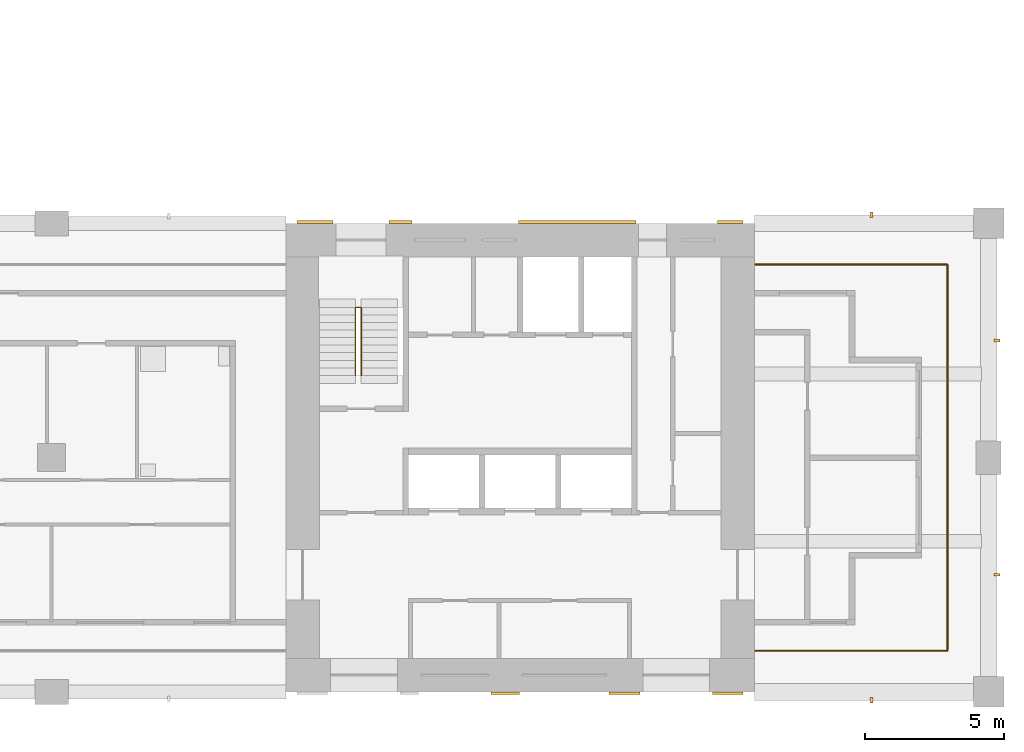
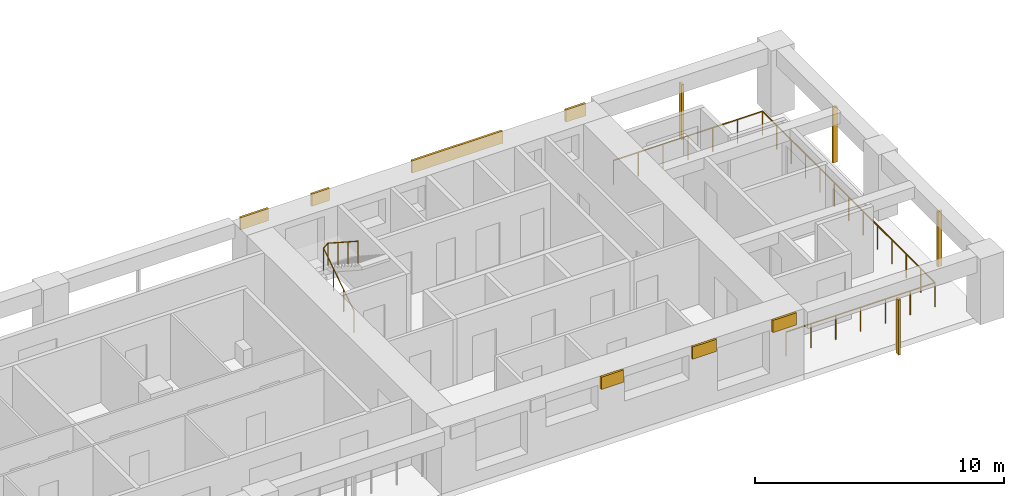
# One storey, part 9 of 11: 11 shading devices, 2 railings.
"""IFC4 building model written with IfcOpenShell, lengths in metres."""

from ifc_helpers import new_model, si_unit, direction, frame, origin, origin_2d, place, context, subcontext, project, spatial, rectangle, circle, extrude, material, layer, layer_set, material_profile, profile_set, type_object, element, save


model = new_model("IFC4")

# Units and contexts
model_context = context("Model", 3, precision=1e-05, world=origin(), true_north=direction((0.0, 1.0)))
body_context = subcontext(model_context, "Body", "Model", "MODEL_VIEW")
ifc_project = project(units=[si_unit("LENGTHUNIT", "METRE"), si_unit("AREAUNIT", "SQUARE_METRE"), si_unit("VOLUMEUNIT", "CUBIC_METRE"), si_unit("PLANEANGLEUNIT", "RADIAN"), si_unit("MASSUNIT", "GRAM", prefix="KILO")], contexts=[model_context])

# Site, building, storey
site_placement = place(None, origin())
site = spatial("IfcSite", under=ifc_project, at=site_placement, CompositionType="ELEMENT")
building_placement = place(site_placement, origin())
building = spatial("IfcBuilding", under=site, at=building_placement, Name="Vermilion Gate Residences", CompositionType="ELEMENT")
storey_placement = place(building_placement, frame((0.0, 0.0, 200.199951171875)))
storey = spatial("IfcBuildingStorey", under=building, at=storey_placement, Name="L52", CompositionType="ELEMENT", Elevation=200.199951171875)

# Railings
ifc_material_1 = material(Name="Stainless steel and toughened glass", Category="steel")
railing_type_1 = type_object("IfcRailingType", Name="LOGGIA GUARD STEEL AND GLASS 1200", PredefinedType="GUARDRAIL", material=ifc_material_1)
railing_1_placement = place(storey_placement, frame((58.822021484375, 9.875, 0.0)))
element("IfcRailing", 1, at=railing_1_placement, inside=storey, type_object=railing_type_1, Name="Loggia guard", PredefinedType="GUARDRAIL", context=body_context, shape_type="SweptSolid", body=[
    extrude(circle(Radius=0.030029296875, at=origin_2d()), frame((0.0, 0.0, 1.169921875), z_axis=(1.0, 0.0, 0.0), x_axis=(0.0, 1.0, 0.0)), (0.0, 0.0, 1.0), 6.903076171875),
    extrude(circle(Radius=0.030029296875, at=origin_2d()), frame((6.903076171875, 0.0, 1.169921875), z_axis=(0.0, 1.0, 0.0), x_axis=(-1.0, 0.0, 0.0)), (0.0, 0.0, 1.0), 13.85009765625),
    extrude(circle(Radius=0.030029296875, at=origin_2d()), frame((6.903076171875, 13.85009765625, 1.169921875), z_axis=(-1.0, 0.0, 0.0), x_axis=(0.0, -1.0, 0.0)), (0.0, 0.0, 1.0), 6.903076171875),
    extrude(circle(Radius=0.02490234375, at=origin_2d()), origin(), (0.0, 0.0, 1.0), 1.139892578125),
    extrude(circle(Radius=0.02490234375, at=origin_2d()), frame((1.150390625, 0.0, 0.0)), (0.0, 0.0, 1.0), 1.139892578125),
    extrude(circle(Radius=0.02490234375, at=origin_2d()), frame((2.301025390625, 0.0, 0.0)), (0.0, 0.0, 1.0), 1.139892578125),
    extrude(circle(Radius=0.02490234375, at=origin_2d()), frame((3.45166015625, 0.0, 0.0)), (0.0, 0.0, 1.0), 1.139892578125),
    extrude(circle(Radius=0.02490234375, at=origin_2d()), frame((4.60205078125, 0.0, 0.0)), (0.0, 0.0, 1.0), 1.139892578125),
    extrude(circle(Radius=0.02490234375, at=origin_2d()), frame((5.75244140625, 0.0, 0.0)), (0.0, 0.0, 1.0), 1.139892578125),
    extrude(circle(Radius=0.02490234375, at=origin_2d()), frame((6.903076171875, 0.0, 0.0)), (0.0, 0.0, 1.0), 1.139892578125),
    extrude(circle(Radius=0.02490234375, at=origin_2d()), frame((6.903076171875, 1.154296875, 0.0)), (0.0, 0.0, 1.0), 1.139892578125),
    extrude(circle(Radius=0.02490234375, at=origin_2d()), frame((6.903076171875, 2.308349609375, 0.0)), (0.0, 0.0, 1.0), 1.139892578125),
    extrude(circle(Radius=0.02490234375, at=origin_2d()), frame((6.903076171875, 3.46240234375, 0.0)), (0.0, 0.0, 1.0), 1.139892578125),
    extrude(circle(Radius=0.02490234375, at=origin_2d()), frame((6.903076171875, 4.61669921875, 0.0)), (0.0, 0.0, 1.0), 1.139892578125),
    extrude(circle(Radius=0.02490234375, at=origin_2d()), frame((6.903076171875, 5.77099609375, 0.0)), (0.0, 0.0, 1.0), 1.139892578125),
    extrude(circle(Radius=0.02490234375, at=origin_2d()), frame((6.903076171875, 6.925048828125, 0.0)), (0.0, 0.0, 1.0), 1.139892578125),
    extrude(circle(Radius=0.02490234375, at=origin_2d()), frame((6.903076171875, 8.0791015625, 0.0)), (0.0, 0.0, 1.0), 1.139892578125),
    extrude(circle(Radius=0.02490234375, at=origin_2d()), frame((6.903076171875, 9.2333984375, 0.0)), (0.0, 0.0, 1.0), 1.139892578125),
    extrude(circle(Radius=0.02490234375, at=origin_2d()), frame((6.903076171875, 10.3876953125, 0.0)), (0.0, 0.0, 1.0), 1.139892578125),
    extrude(circle(Radius=0.02490234375, at=origin_2d()), frame((6.903076171875, 11.541748046875, 0.0)), (0.0, 0.0, 1.0), 1.139892578125),
    extrude(circle(Radius=0.02490234375, at=origin_2d()), frame((6.903076171875, 12.69580078125, 0.0)), (0.0, 0.0, 1.0), 1.139892578125),
    extrude(circle(Radius=0.02490234375, at=origin_2d()), frame((6.903076171875, 13.85009765625, 0.0)), (0.0, 0.0, 1.0), 1.139892578125),
    extrude(circle(Radius=0.02490234375, at=origin_2d()), frame((5.75244140625, 13.85009765625, 0.0)), (0.0, 0.0, 1.0), 1.139892578125),
    extrude(circle(Radius=0.02490234375, at=origin_2d()), frame((4.60205078125, 13.85009765625, 0.0)), (0.0, 0.0, 1.0), 1.139892578125),
    extrude(circle(Radius=0.02490234375, at=origin_2d()), frame((3.45166015625, 13.85009765625, 0.0)), (0.0, 0.0, 1.0), 1.139892578125),
    extrude(circle(Radius=0.02490234375, at=origin_2d()), frame((2.301025390625, 13.85009765625, 0.0)), (0.0, 0.0, 1.0), 1.139892578125),
    extrude(circle(Radius=0.02490234375, at=origin_2d()), frame((1.150390625, 13.85009765625, 0.0)), (0.0, 0.0, 1.0), 1.139892578125),
    extrude(circle(Radius=0.02490234375, at=origin_2d()), frame((0.0, 13.85009765625, 0.0)), (0.0, 0.0, 1.0), 1.139892578125),
])
ifc_material_2 = material(Name="Steel S355", Category="steel")
railing_type_2 = type_object("IfcRailingType", Name="STAIR GUARD 1100 STEEL", PredefinedType="GUARDRAIL", material=ifc_material_2)
railing_2_placement = place(storey_placement, frame((44.5, 19.75, 0.175048828125)))
element("IfcRailing", 2, at=railing_2_placement, inside=storey, type_object=railing_type_2, Name="Stair well guard STA1-52", PredefinedType="GUARDRAIL", context=body_context, shape_type="SweptSolid", body=[
    extrude(circle(Radius=0.02392578125, at=origin_2d()), frame((0.0, 0.0, 1.076171875), z_axis=(0.0, 0.839153699163, 0.543894354798), x_axis=(-1.0, 0.0, 0.0)), (0.0, 0.0, 1.0), 2.895751953125),
    extrude(circle(Radius=0.02392578125, at=origin_2d()), frame((0.0, 2.429931640625, 2.65087890625), z_axis=(0.752405939678, 0.0, 0.658699705433), x_axis=(0.0, 1.0, 0.0)), (0.0, 0.0, 1.0), 0.265869140625),
    extrude(circle(Radius=0.02392578125, at=origin_2d()), frame((0.199951171875, 2.429931640625, 2.826171875), z_axis=(0.0, -0.839153699163, 0.543894354798), x_axis=(1.0, 0.0, 0.0)), (0.0, 0.0, 1.0), 2.895751953125),
    extrude(circle(Radius=0.02099609375, at=origin_2d()), origin(), (0.0, 0.0, 1.0), 1.052001953125),
    extrude(circle(Radius=0.02099609375, at=origin_2d()), frame((0.0, 0.81005859375, 0.52490234375)), (0.0, 0.0, 1.0), 1.052001953125),
    extrude(circle(Radius=0.02099609375, at=origin_2d()), frame((0.0, 1.619873046875, 1.050048828125)), (0.0, 0.0, 1.0), 1.052001953125),
    extrude(circle(Radius=0.02099609375, at=origin_2d()), frame((0.0, 2.429931640625, 1.574951171875)), (0.0, 0.0, 1.0), 1.052001953125),
    extrude(circle(Radius=0.02099609375, at=origin_2d()), frame((0.199951171875, 2.429931640625, 1.75)), (0.0, 0.0, 1.0), 1.052001953125),
    extrude(circle(Radius=0.02099609375, at=origin_2d()), frame((0.199951171875, 1.619873046875, 2.27490234375)), (0.0, 0.0, 1.0), 1.052001953125),
    extrude(circle(Radius=0.02099609375, at=origin_2d()), frame((0.199951171875, 0.81005859375, 2.800048828125)), (0.0, 0.0, 1.0), 1.052001953125),
    extrude(circle(Radius=0.02099609375, at=origin_2d()), frame((0.199951171875, 0.0, 3.324951171875)), (0.0, 0.0, 1.0), 1.052001953125),
])

# Shading devices
ifc_material_3 = material(Name="Extruded terracotta", Category="masonry")
ifc_material_profile = material_profile(ifc_material_3, rectangle(XDim=0.199951171875, YDim=0.10009765625, at=origin_2d()), Name="BAGUETTE 100 X 200")
ifc_profile_set = profile_set([ifc_material_profile], Name="Extruded terracotta")
shading_device_type_1 = type_object("IfcShadingDeviceType", Name="TERRACOTTA BAGUETTE 100 X 200", PredefinedType="JALOUSIE", material=ifc_profile_set)
for number, where, z_axis, x_axis, name in (
    (3, (63.0, 8.10009765625, -0.280029296875), (0.0, 0.0, 1.0), (0.0, 1.0, 0.0), "BAGUETTE"),
    (4, (67.5, 12.60009765625, -0.280029296875), (0.0, 0.0, 1.0), (-1.0, 0.0, 0.0), "BAGUETTE"),
    (5, (67.5, 21.0, -0.280029296875), (0.0, 0.0, 1.0), (-1.0, 0.0, 0.0), "BAGUETTE"),
    (6, (63.0, 25.5, -0.280029296875), (0.0, 0.0, 1.0), (0.0, -1.0, 0.0), "BAGUETTE"),
):
    element("IfcShadingDevice", number, at=place(storey_placement, frame(where, z_axis=z_axis, x_axis=x_axis)), inside=storey, type_object=shading_device_type_1, Name=name, PredefinedType="JALOUSIE", context=body_context, shape_type="SweptSolid", body=[
        extrude(rectangle(XDim=0.199951171875, YDim=0.10009765625, at=origin_2d()), origin(), (0.0, 0.0, 1.0), 2.7001953125),
    ])
ifc_material_4 = material(Name="Extruded terracotta", Category="masonry")
ifc_layer = layer(ifc_material_4, 0.10009765625)
ifc_layer_set = layer_set([ifc_layer], Name="TERRACOTTA SPANDREL BAND 600 X 100")
shading_device_type_2 = type_object("IfcShadingDeviceType", Name="TERRACOTTA SPANDREL BAND 600 X 100", PredefinedType="USERDEFINED", material=ifc_layer_set)
shading_device_1_placement = place(storey_placement, frame((49.87255859375, 8.35009765625, 2.6201171875), z_axis=(0.0, 0.0, 1.0), x_axis=(1.0, 0.0, 0.0)))
element("IfcShadingDevice", 7, at=shading_device_1_placement, inside=storey, type_object=shading_device_type_2, Name="SPANDREL BAND", ObjectType="BAND", PredefinedType="USERDEFINED", context=body_context, shape_type="SweptSolid", body=[
    extrude(rectangle(XDim=1.02490234375, YDim=0.10009765625, at=origin_2d()), origin(), (0.0, 0.0, 1.0), 0.60009765625),
])
shading_device_2_placement = place(storey_placement, frame((54.142578125, 8.35009765625, 2.6201171875), z_axis=(0.0, 0.0, 1.0), x_axis=(1.0, 0.0, 0.0)))
element("IfcShadingDevice", 8, at=shading_device_2_placement, inside=storey, type_object=shading_device_type_2, Name="SPANDREL BAND", ObjectType="BAND", PredefinedType="USERDEFINED", context=body_context, shape_type="SweptSolid", body=[
    extrude(rectangle(XDim=1.114990234375, YDim=0.10009765625, at=origin_2d()), origin(), (0.0, 0.0, 1.0), 0.60009765625),
])
shading_device_3_placement = place(storey_placement, frame((57.85009765625, 8.35009765625, 2.6201171875), z_axis=(0.0, 0.0, 1.0), x_axis=(1.0, 0.0, 0.0)))
element("IfcShadingDevice", 9, at=shading_device_3_placement, inside=storey, type_object=shading_device_type_2, Name="SPANDREL BAND", ObjectType="BAND", PredefinedType="USERDEFINED", context=body_context, shape_type="SweptSolid", body=[
    extrude(rectangle(XDim=1.10009765625, YDim=0.10009765625, at=origin_2d()), origin(), (0.0, 0.0, 1.0), 0.60009765625),
])
shading_device_4_placement = place(storey_placement, frame((43.050048828125, 25.25, 2.6201171875), z_axis=(0.0, 0.0, 1.0), x_axis=(1.0, 0.0, 0.0)))
element("IfcShadingDevice", 10, at=shading_device_4_placement, inside=storey, type_object=shading_device_type_2, Name="SPANDREL BAND", ObjectType="BAND", PredefinedType="USERDEFINED", context=body_context, shape_type="SweptSolid", body=[
    extrude(rectangle(XDim=1.300048828125, YDim=0.10009765625, at=origin_2d()), origin(), (0.0, 0.0, 1.0), 0.60009765625),
])
shading_device_5_placement = place(storey_placement, frame((46.112548828125, 25.25, 2.6201171875), z_axis=(0.0, 0.0, 1.0), x_axis=(1.0, 0.0, 0.0)))
element("IfcShadingDevice", 11, at=shading_device_5_placement, inside=storey, type_object=shading_device_type_2, Name="SPANDREL BAND", ObjectType="BAND", PredefinedType="USERDEFINED", context=body_context, shape_type="SweptSolid", body=[
    extrude(rectangle(XDim=0.824951171875, YDim=0.10009765625, at=origin_2d()), origin(), (0.0, 0.0, 1.0), 0.60009765625),
])
shading_device_6_placement = place(storey_placement, frame((52.449951171875, 25.25, 2.6201171875), z_axis=(0.0, 0.0, 1.0), x_axis=(1.0, 0.0, 0.0)))
element("IfcShadingDevice", 12, at=shading_device_6_placement, inside=storey, type_object=shading_device_type_2, Name="SPANDREL BAND", ObjectType="BAND", PredefinedType="USERDEFINED", context=body_context, shape_type="SweptSolid", body=[
    extrude(rectangle(XDim=4.199951171875, YDim=0.10009765625, at=origin_2d()), origin(), (0.0, 0.0, 1.0), 0.60009765625),
])
shading_device_7_placement = place(storey_placement, frame((57.9375, 25.25, 2.6201171875), z_axis=(0.0, 0.0, 1.0), x_axis=(1.0, 0.0, 0.0)))
element("IfcShadingDevice", 13, at=shading_device_7_placement, inside=storey, type_object=shading_device_type_2, Name="SPANDREL BAND", ObjectType="BAND", PredefinedType="USERDEFINED", context=body_context, shape_type="SweptSolid", body=[
    extrude(rectangle(XDim=0.925048828125, YDim=0.10009765625, at=origin_2d()), origin(), (0.0, 0.0, 1.0), 0.60009765625),
])

save(model, "model.ifc")
